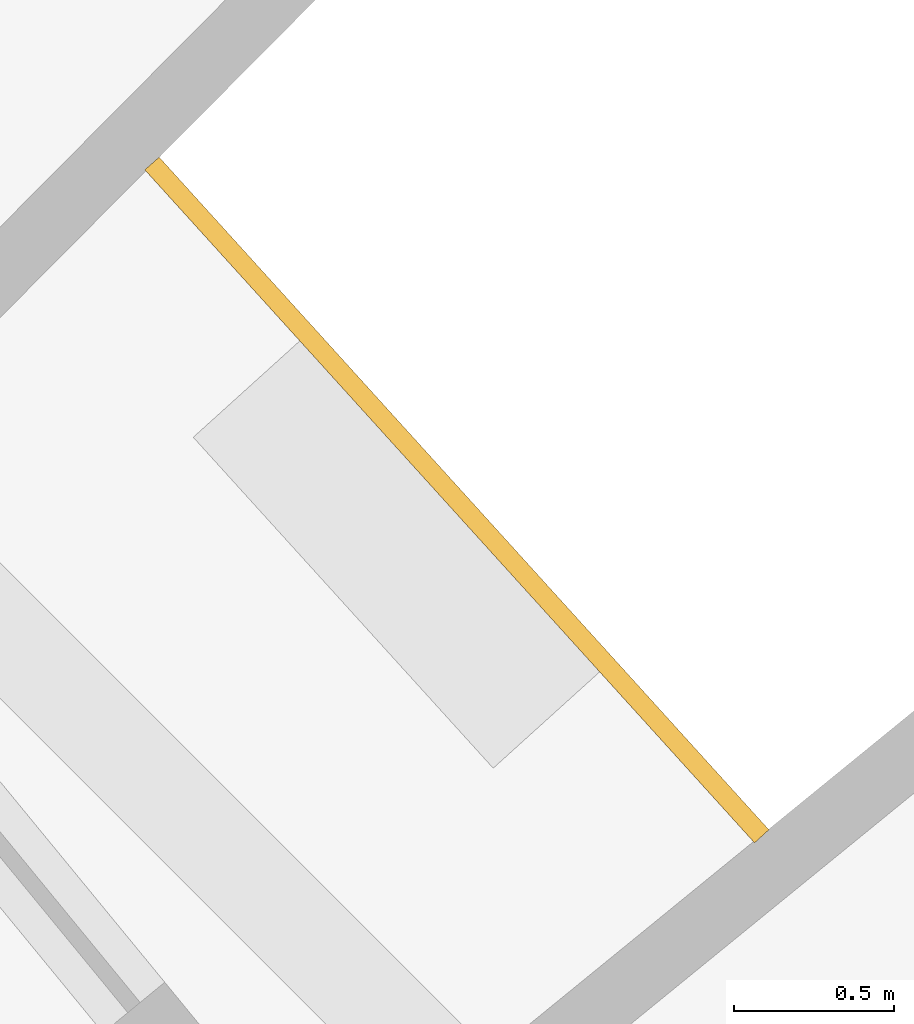
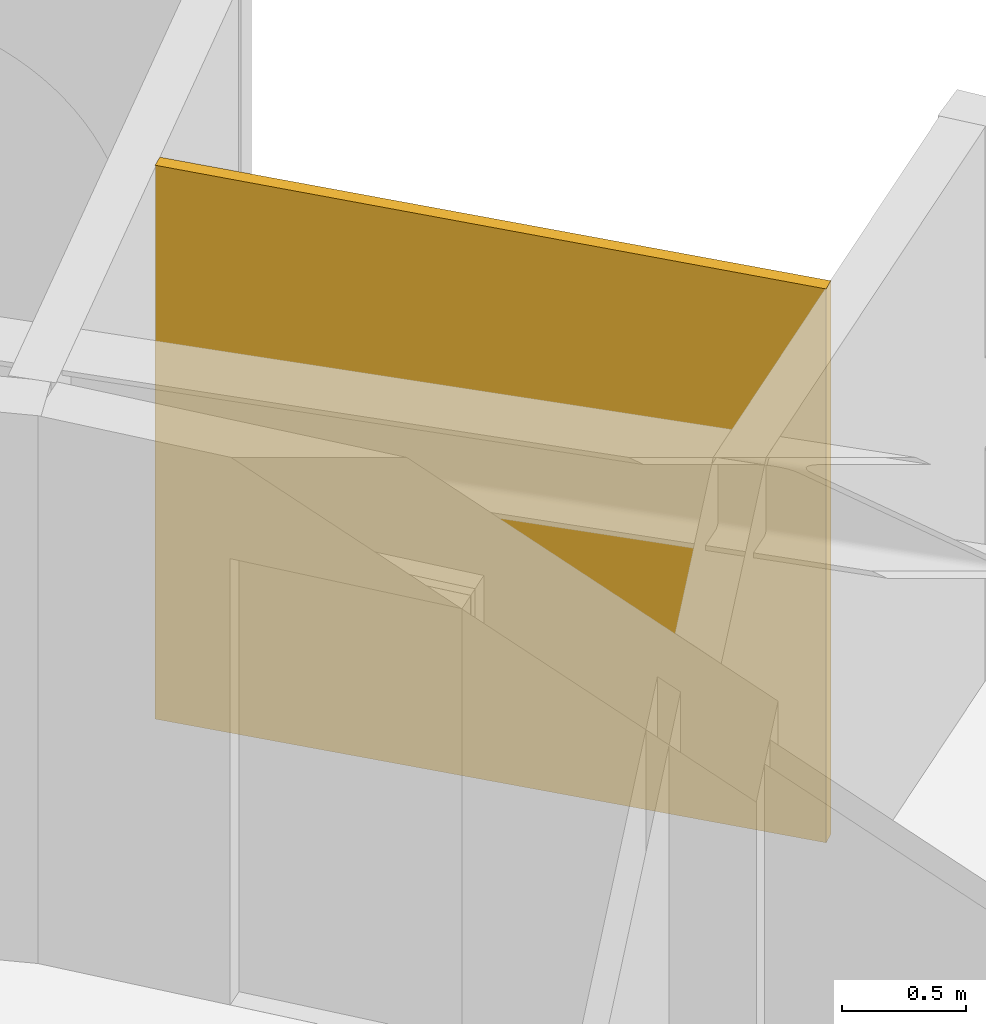
# One storey, part 27 of 27: 1 railing.
"""IFC4 building model written with IfcOpenShell, lengths in metres."""

from ifc_helpers import new_model, si_unit, direction, frame, origin, place, context, subcontext, project, spatial, polyline, outline, extrude, material, layer, layer_set, type_object, element, save


model = new_model("IFC4")

# Units and contexts
model_context = context("Model", 3, precision=1e-05, world=origin(), true_north=direction((0.0, 1.0)))
body_context = subcontext(model_context, "Body", "Model", "MODEL_VIEW")
ifc_project = project(units=[si_unit("LENGTHUNIT", "METRE"), si_unit("AREAUNIT", "SQUARE_METRE"), si_unit("VOLUMEUNIT", "CUBIC_METRE"), si_unit("PLANEANGLEUNIT", "RADIAN"), si_unit("MASSUNIT", "GRAM", prefix="KILO")], contexts=[model_context])

# Site, building, storey
site_placement = place(None, origin())
site = spatial("IfcSite", under=ifc_project, at=site_placement, CompositionType="ELEMENT")
building_placement = place(site_placement, origin())
building = spatial("IfcBuilding", under=site, at=building_placement, Name="Maasbend Ring Residences", CompositionType="ELEMENT")
storey_placement = place(building_placement, frame((0.0, 0.0, 148.25)))
storey = spatial("IfcBuildingStorey", under=building, at=storey_placement, Name="L42", CompositionType="ELEMENT", Elevation=148.25)

# Railing
ifc_material = material(Name="Pale anodised perforated aluminium", Category="aluminium")
ifc_layer = layer(ifc_material, 0.06005859375)
ifc_layer_set = layer_set([ifc_layer], Name="SCREEN-P")
railing_type = type_object("IfcRailingType", Name="SCREEN-P", PredefinedType="GUARDRAIL", material=ifc_layer_set)
railing_placement = place(storey_placement, frame((0.0, 0.0, -0.030029296875)))
element("IfcRailing", 1, at=railing_placement, inside=storey, type_object=railing_type, Name="Perforated screen guard 1", PredefinedType="GUARDRAIL", context=body_context, shape_type="SweptSolid", body=[
    extrude(outline(polyline([(22.4169921875, 18.39697265625), (20.506103515625, 20.506103515625), (20.551025390625, 20.5458984375), (22.4619140625, 18.43798828125), (22.4169921875, 18.39697265625)])), origin(), (0.0, 0.0, 1.0), 2.72998046875),
])

save(model, "model.ifc")
